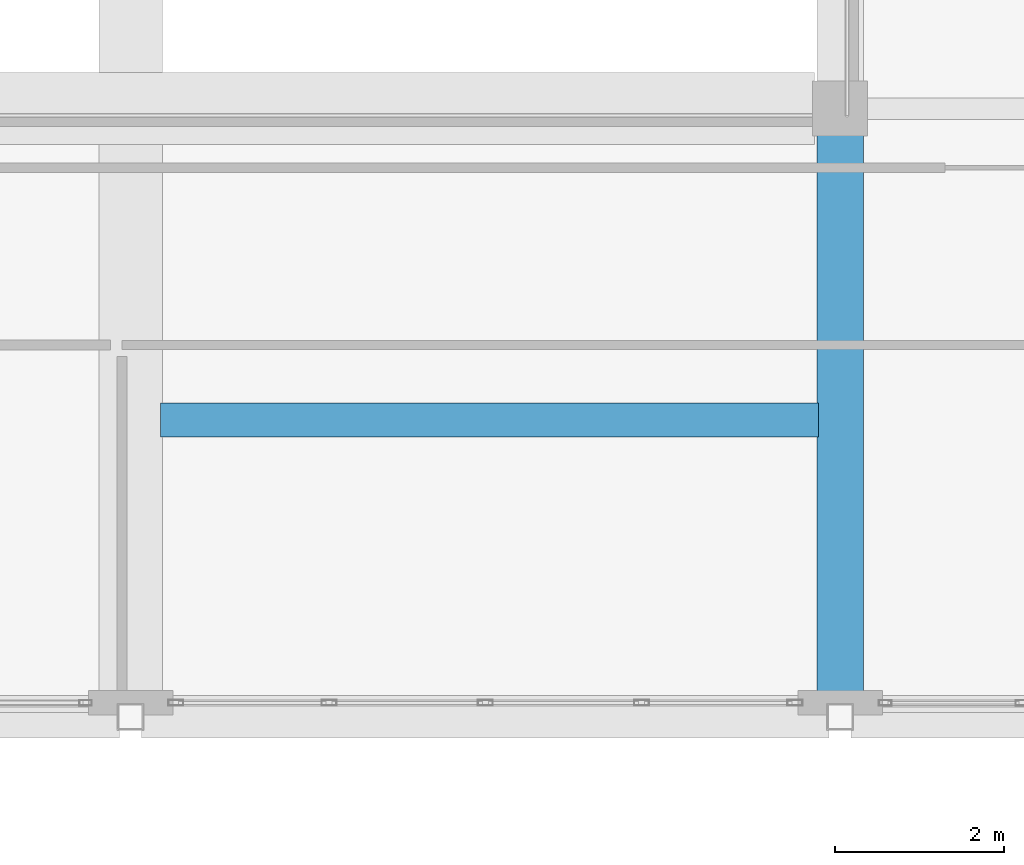
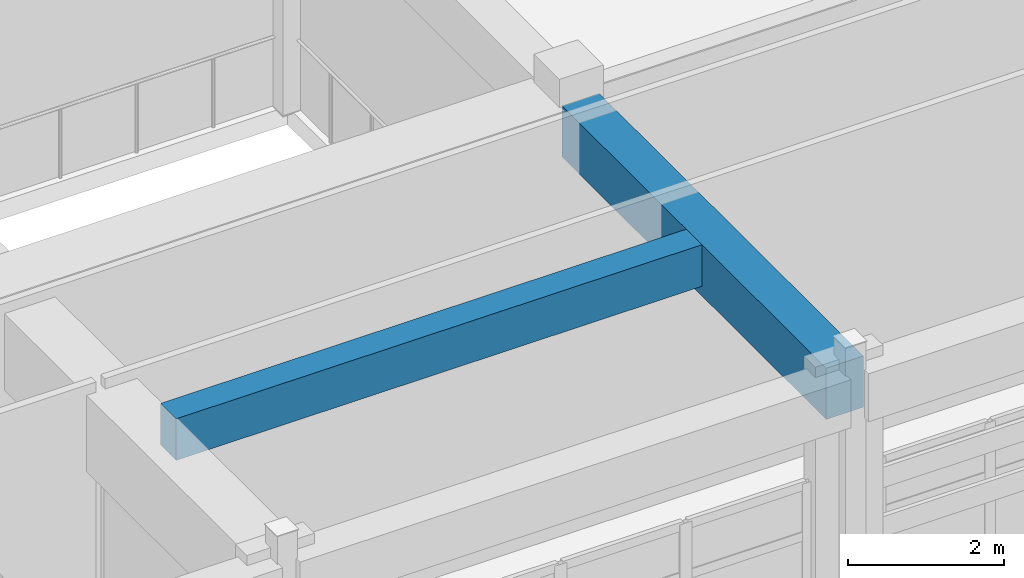
# One storey, part 67 of 103: 2 beams.
"""IFC4 building model written with IfcOpenShell, lengths in metres."""

from ifc_helpers import new_model, si_unit, direction, frame, origin, origin_2d, place, context, subcontext, project, spatial, rectangle, extrude, material, material_profile, profile_set, type_object, element, save


model = new_model("IFC4")

# Units and contexts
model_context = context("Model", 3, precision=1e-05, world=origin(), true_north=direction((0.0, 1.0)))
body_context = subcontext(model_context, "Body", "Model", "MODEL_VIEW")
ifc_project = project(units=[si_unit("LENGTHUNIT", "METRE"), si_unit("AREAUNIT", "SQUARE_METRE"), si_unit("VOLUMEUNIT", "CUBIC_METRE"), si_unit("PLANEANGLEUNIT", "RADIAN"), si_unit("MASSUNIT", "GRAM", prefix="KILO")], contexts=[model_context])

# Site, building, storey
site_placement = place(None, origin())
site = spatial("IfcSite", under=ifc_project, at=site_placement, CompositionType="ELEMENT")
building_placement = place(site_placement, origin())
building = spatial("IfcBuilding", under=site, at=building_placement, Name="Quendrovan Civic Courthouse", CompositionType="ELEMENT")
storey_placement = place(building_placement, frame((0.0, 0.0, 15.300048828125)))
storey = spatial("IfcBuildingStorey", under=building, at=storey_placement, Name="L04", CompositionType="ELEMENT", Elevation=15.300048828125)

# Beams
ifc_material = material(Name="Concrete C40/50", Category="concrete")
ifc_material_profile_1 = material_profile(ifc_material, rectangle(XDim=0.39990234375, YDim=0.64990234375, at=origin_2d()), Name="RC-BM-400x650")
ifc_profile_set_1 = profile_set([ifc_material_profile_1], Name="Concrete C40/50")
beam_type_1 = type_object("IfcBeamType", Name="BM-RC650", PredefinedType="JOIST", material=ifc_profile_set_1)
beam_1_placement = place(storey_placement, frame((126.35498046875, 91.112548828125, 4.3349609375), z_axis=(1.0, 0.0, 0.0), x_axis=(0.0, 1.0, 0.0)))
element("IfcBeam", 1, at=beam_1_placement, inside=storey, type_object=beam_type_1, Name="L04 Secondary Joist 1002", PredefinedType="JOIST", context=body_context, shape_type="SweptSolid", body=[
    extrude(rectangle(XDim=0.39990234375, YDim=0.64990234375, at=origin_2d()), origin(), (0.0, 0.0, 1.0), 7.7900390625),
])
ifc_material_profile_2 = material_profile(ifc_material, rectangle(XDim=0.550048828125, YDim=0.800048828125, at=origin_2d()), Name="RC-BM-550x800")
ifc_profile_set_2 = profile_set([ifc_material_profile_2], Name="Concrete C40/50")
beam_type_2 = type_object("IfcBeamType", Name="BM-RC800", PredefinedType="BEAM", material=ifc_profile_set_2)
beam_2_placement = place(storey_placement, frame((134.39990234375, 87.72998046875, 4.260009765625), z_axis=(0.0, 1.0, 0.0), x_axis=(-1.0, 0.0, 0.0)))
element("IfcBeam", 2, at=beam_2_placement, inside=storey, type_object=beam_type_2, Name="L04 Girder Y0992", PredefinedType="BEAM", context=body_context, shape_type="SweptSolid", body=[
    extrude(rectangle(XDim=0.550048828125, YDim=0.800048828125, at=origin_2d()), origin(), (0.0, 0.0, 1.0), 6.76513671875),
])

save(model, "model.ifc")
